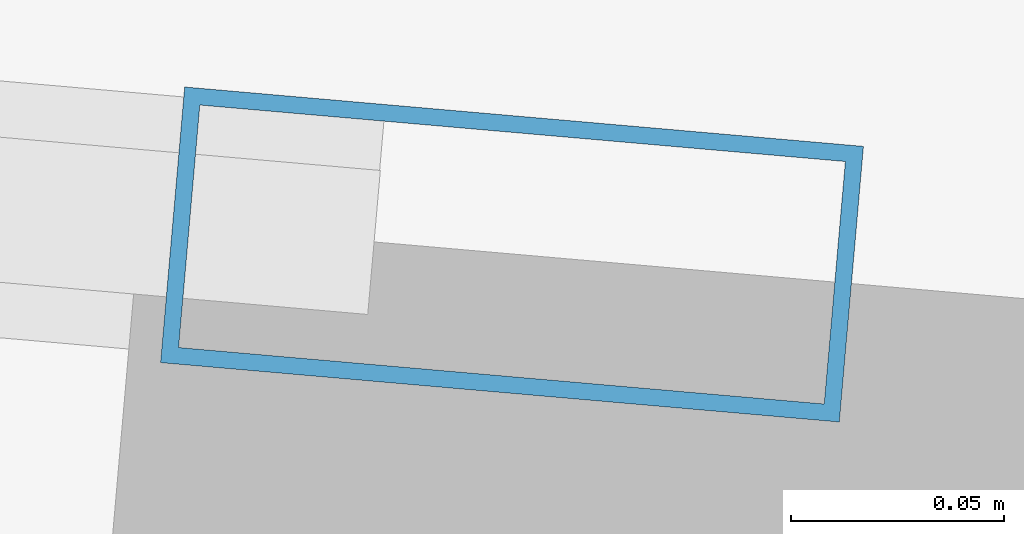
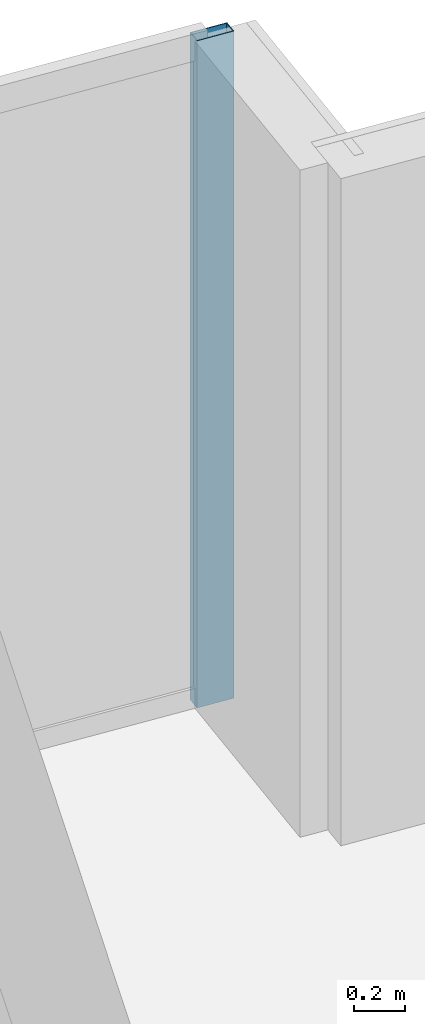
# One storey, part 22 of 32: 1 member, 1 element without a shape of its own.
"""IFC4 building model written with IfcOpenShell, lengths in metres."""

from ifc_helpers import new_model, si_unit, direction, frame, origin, origin_2d, place, context, subcontext, project, spatial, hollow_rectangle, extrude, material, material_profile, profile_set, type_object, element, aggregate, save


model = new_model("IFC4")

# Units and contexts
model_context = context("Model", 3, precision=1e-05, world=origin(), true_north=direction((0.0, 1.0)))
body_context = subcontext(model_context, "Body", "Model", "MODEL_VIEW")
ifc_project = project(units=[si_unit("LENGTHUNIT", "METRE"), si_unit("AREAUNIT", "SQUARE_METRE"), si_unit("VOLUMEUNIT", "CUBIC_METRE"), si_unit("PLANEANGLEUNIT", "RADIAN"), si_unit("MASSUNIT", "GRAM", prefix="KILO")], contexts=[model_context])

# Site, building, storey
site_placement = place(None, origin())
site = spatial("IfcSite", under=ifc_project, at=site_placement, CompositionType="ELEMENT")
building_placement = place(site_placement, origin())
building = spatial("IfcBuilding", under=site, at=building_placement, Name="Yelkora Congress Tower", CompositionType="ELEMENT")
storey_placement = place(building_placement, frame((0.0, 0.0, 276.10009765625)))
storey = spatial("IfcBuildingStorey", under=building, at=storey_placement, Name="L77", CompositionType="ELEMENT", Elevation=276.10009765625)

# Curtain wall, member
ifc_material_1 = material(Name="Anodised aluminium and insulated glass", Category="aluminium")
curtain_wall_type = type_object("IfcCurtainWallType", Name="CW-SYS-B5", PredefinedType="NOTDEFINED", material=ifc_material_1)
curtain_wall_placement = place(storey_placement, origin())
curtain_wall = element("IfcCurtainWall", 1, at=curtain_wall_placement, inside=storey, type_object=curtain_wall_type, Name="L77 Unitised Curtain Wall 10", PredefinedType="NOTDEFINED")
ifc_material_2 = material(Name="Anodised aluminium 6063-T6", Category="aluminium")
ifc_material_profile = material_profile(ifc_material_2, hollow_rectangle(XDim=0.06494140625, YDim=0.159912109375, WallThickness=0.00390625, at=origin_2d()), Name="ALU 65x160x4")
ifc_profile_set = profile_set([ifc_material_profile], Name="Anodised aluminium 6063-T6")
member_type = type_object("IfcMemberType", Name="MEM-ML-B5", PredefinedType="MULLION", material=ifc_profile_set)
member_placement = place(storey_placement, frame((55.753662109375, 46.44580078125, 0.0), z_axis=(0.0, 0.0, 1.0), x_axis=(0.087156639893, 0.996194619601, 0.0)))
member = element("IfcMember", 2, at=member_placement, type_object=member_type, Name="CW-B5 mullion 8", PredefinedType="MULLION", context=body_context, shape_type="SweptSolid", body=[
    extrude(hollow_rectangle(XDim=0.06494140625, YDim=0.159912109375, WallThickness=0.00390625, at=origin_2d()), origin(), (0.0, 0.0, 1.0), 3.179931640625),
])
aggregate(curtain_wall, [member])

save(model, "model.ifc")
